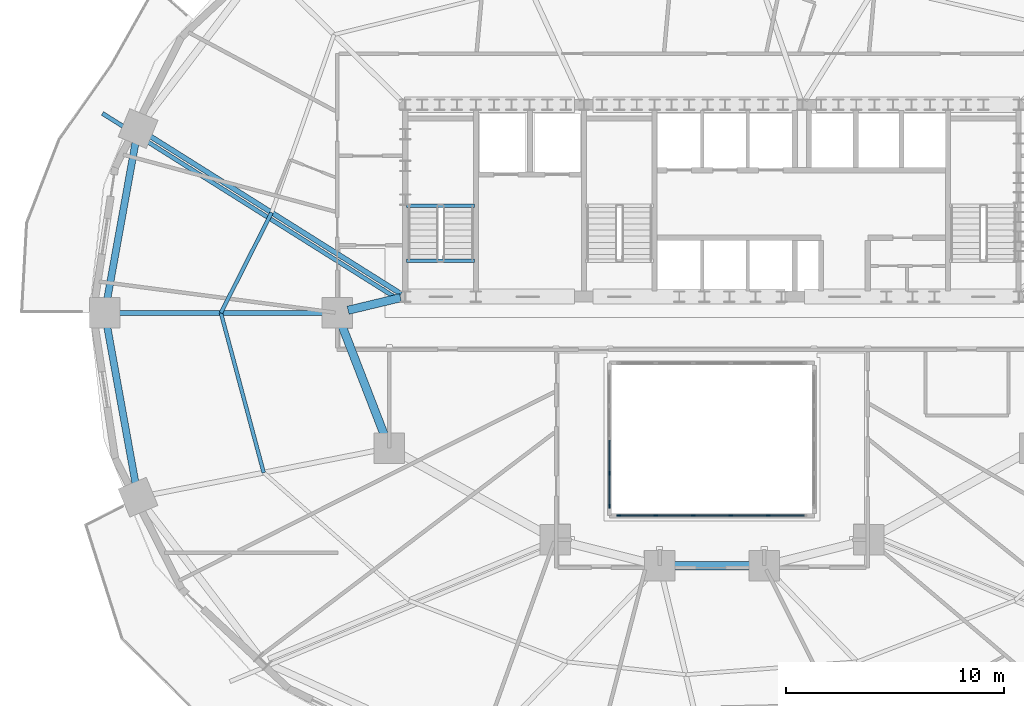
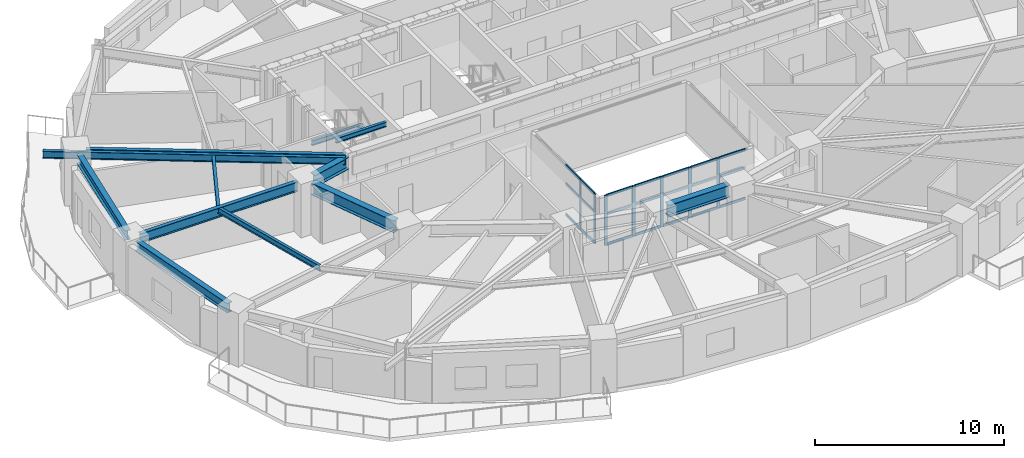
# One storey, part 3 of 15: 28 members, 12 beams, 2 elements without a shape of their own.
"""IFC4 building model written with IfcOpenShell, lengths in metres."""

import ifcopenshell
import ifcopenshell.guid

model = None  # the IFC model being written
_history = None  # IfcOwnerHistory: only IFC2X3 demands one
_inside = {}  # id of a spatial element -> (the spatial element, [elements in it])
_under = {}  # id of a project, library or spatial element -> (it, [spatial elements below it])
_declared = {}  # id of a project -> (the project, [libraries it declares])
_typed = {}  # id of a type object -> (the type object, [elements of that type])
_made_of = {}  # id of a material, layer set ... -> (it, [elements and type objects made of it])


def new_model(schema):
    """Start an empty IFC model of exactly this schema.

    Asked for "IFC4X3", IfcOpenShell would pick the latest addendum, in which some entities
    have other attributes; the version numbers below select the first issue.
    IFC2X3 requires an IfcOwnerHistory on every rooted entity: one is made here for all.
    """
    global model, _history
    if schema == "IFC4X3":
        model = ifcopenshell.file(schema_version=(4, 3, 0, 0))
    else:
        model = ifcopenshell.file(schema=schema)
    _inside.clear()
    _under.clear()
    _declared.clear()
    _typed.clear()
    _made_of.clear()
    _history = None
    if model.schema == "IFC2X3":
        org = make("IfcOrganization", Name="unknown")
        user = make(
            "IfcPersonAndOrganization",
            ThePerson=make("IfcPerson", FamilyName="unknown"),
            TheOrganization=org,
        )
        app = make(
            "IfcApplication",
            ApplicationDeveloper=org,
            Version="unknown",
            ApplicationFullName="unknown",
            ApplicationIdentifier="unknown",
        )
        _history = make(
            "IfcOwnerHistory",
            OwningUser=user,
            OwningApplication=app,
            ChangeAction="ADDED",
            CreationDate=0,
        )
    return model


def make(cls, **values):
    """One entity of the class cls with the attributes given. An attribute that is None is left unset."""
    return model.create_entity(
        cls, **{name: value for name, value in values.items() if value is not None}
    )


def rooted(cls, **values):
    """An entity with a GlobalId (a new one), such as an element, a storey or a relation."""
    return make(cls, GlobalId=ifcopenshell.guid.new(), OwnerHistory=_history, **values)


def si_unit(unit_type, name, prefix=None):
    """IfcSIUnit, for example si_unit("LENGTHUNIT", "METRE", prefix="MILLI")."""
    return make("IfcSIUnit", UnitType=unit_type, Prefix=prefix, Name=name)


def assignment(units):
    """IfcUnitAssignment: the units of a project."""
    return None if units is None else make("IfcUnitAssignment", Units=units)


def point(xyz):
    """IfcCartesianPoint."""
    return None if xyz is None else make("IfcCartesianPoint", Coordinates=xyz)


def direction(xyz):
    """IfcDirection."""
    return None if xyz is None else make("IfcDirection", DirectionRatios=xyz)


def frame(location, z_axis=None, x_axis=None):
    """IfcAxis2Placement3D, a coordinate frame: its origin and axes. An axis left out is left unset."""
    return make(
        "IfcAxis2Placement3D",
        Location=point(location),
        Axis=direction(z_axis),
        RefDirection=direction(x_axis),
    )


def frame_2d(location, x_axis=None):
    """IfcAxis2Placement2D, a coordinate frame in the plane: its origin and x axis."""
    return make(
        "IfcAxis2Placement2D", Location=point(location), RefDirection=direction(x_axis)
    )


def origin():
    """The frame at (0, 0, 0) with its axes left unset."""
    return frame((0.0, 0.0, 0.0))


def origin_2d():
    """The frame at (0, 0) in the plane with its x axis left unset."""
    return frame_2d((0.0, 0.0))


def place(relative_to, where):
    """IfcLocalPlacement: puts the frame where relative to a parent placement (None: the world)."""
    return make(
        "IfcLocalPlacement", PlacementRelTo=relative_to, RelativePlacement=where
    )


def context(
    kind, dimensions, precision=None, world=None, true_north=None, identifier=None
):
    """IfcGeometricRepresentationContext, for example the 3D "Model" context."""
    return make(
        "IfcGeometricRepresentationContext",
        ContextIdentifier=identifier,
        ContextType=kind,
        CoordinateSpaceDimension=dimensions,
        Precision=precision,
        WorldCoordinateSystem=world,
        TrueNorth=true_north,
    )


def subcontext(parent, identifier, kind, view, scale=None):
    """IfcGeometricRepresentationSubContext, for example "Body" below "Model"."""
    return make(
        "IfcGeometricRepresentationSubContext",
        ContextIdentifier=identifier,
        ContextType=kind,
        ParentContext=parent,
        TargetScale=scale,
        TargetView=view,
    )


def project(units=None, contexts=None):
    """IfcProject with its units and contexts."""
    return rooted(
        "IfcProject",
        Name="project",
        RepresentationContexts=contexts,
        UnitsInContext=assignment(units),
    )


def spatial(cls, under=None, at=None, **own):
    """A site, building, storey or space (cls), placed at a placement, below another one or the project."""
    s = rooted(cls, ObjectPlacement=at, **own)
    if under is not None:
        _under.setdefault(under.id(), (under, []))[1].append(s)
    return s


def profile(cls, at=None, kind="AREA", **sizes):
    """A parametric profile (cls). Its sizes go by their IFC names, for example OverallWidth=200.0."""
    return make(cls, ProfileType=kind, Position=at, **sizes)


def rectangle(**sizes):
    """IfcRectangleProfileDef."""
    return profile("IfcRectangleProfileDef", **sizes)


def i_section(**sizes):
    """IfcIShapeProfileDef."""
    return profile("IfcIShapeProfileDef", **sizes)


def extrude(swept, where, along, depth):
    """IfcExtrudedAreaSolid: the profile swept, set in the frame where, extruded along a direction by depth."""
    return make(
        "IfcExtrudedAreaSolid",
        SweptArea=swept,
        Position=where,
        ExtrudedDirection=direction(along),
        Depth=depth,
    )


def shape(context_of_items, identifier, shape_type, items):
    """IfcShapeRepresentation: the items that make up one representation, for example the "Body"."""
    return make(
        "IfcShapeRepresentation",
        ContextOfItems=context_of_items,
        RepresentationIdentifier=identifier,
        RepresentationType=shape_type,
        Items=items,
    )


def material(Name=None, Category=None):
    """IfcMaterial."""
    return make("IfcMaterial", Name=Name, Category=Category)


def material_profile(
    of_material, cross_section, Name=None, Category=None, Priority=None
):
    """IfcMaterialProfile: a cross section and its material."""
    return make(
        "IfcMaterialProfile",
        Name=Name,
        Material=of_material,
        Profile=cross_section,
        Priority=Priority,
        Category=Category,
    )


def profile_set(profiles, Name=None, composite=None):
    """IfcMaterialProfileSet."""
    return make(
        "IfcMaterialProfileSet",
        Name=Name,
        MaterialProfiles=profiles,
        CompositeProfile=composite,
    )


def made_of(thing, what):
    """Note that an element or type object is made of a material, layer set ...; save() writes the relation."""
    if what is not None:
        _made_of.setdefault(what.id(), (what, []))[1].append(thing)
    return thing


def type_object(cls, material=None, **own):
    """A type object (cls), such as IfcWallType, which elements share."""
    return made_of(rooted(cls, **own), material)


def element(
    cls,
    number,
    at=None,
    inside=None,
    cuts=None,
    type_object=None,
    material=None,
    context=None,
    identifier="Body",
    shape_type=None,
    held_by="IfcProductDefinitionShape",
    body=None,
    shapes=None,
    **own,
):
    """One element of the class cls, such as IfcWall. Its Tag is "e" and its number.

    at: its placement. inside: the storey or other place that contains it. cuts: it is an
    opening in that element (IfcRelVoidsElement). A single representation is given by context,
    identifier, shape_type and body (its items); several are given by shapes. held_by: the class
    of the entity that holds the representations. save() writes the other relations.
    """
    e = rooted(cls, Tag="e%d" % number, ObjectPlacement=at, **own)
    if body is not None:
        shapes = [shape(context, identifier, shape_type, body)]
    if shapes is not None:
        e.Representation = make(held_by, Representations=shapes)
    if inside is not None:
        _inside.setdefault(inside.id(), (inside, []))[1].append(e)
    if cuts is not None:
        rooted(
            "IfcRelVoidsElement", RelatingBuildingElement=cuts, RelatedOpeningElement=e
        )
    if type_object is not None:
        _typed.setdefault(type_object.id(), (type_object, []))[1].append(e)
    return made_of(e, material)


def aggregate(whole, parts):
    """IfcRelAggregates: a whole, such as a stair, and the parts it consists of."""
    return rooted("IfcRelAggregates", RelatingObject=whole, RelatedObjects=parts)


def save(model, path):
    """Write the relations noted so far, then the file.

    IfcRelAggregates (storeys below a building ...), IfcRelContainedInSpatialStructure (elements
    in a storey), IfcRelDefinesByType, IfcRelAssociatesMaterial and IfcRelDeclares: one each for
    every whole, place, type object, material and project.
    """
    for whole, parts in _under.values():
        aggregate(whole, parts)
    for where, things in _inside.values():
        rooted(
            "IfcRelContainedInSpatialStructure",
            RelatedElements=things,
            RelatingStructure=where,
        )
    for kind, things in _typed.values():
        rooted("IfcRelDefinesByType", RelatedObjects=things, RelatingType=kind)
    for what, things in _made_of.values():
        rooted("IfcRelAssociatesMaterial", RelatedObjects=things, RelatingMaterial=what)
    for by, libraries in _declared.values():
        rooted("IfcRelDeclares", RelatingContext=by, RelatedDefinitions=libraries)
    model.write(path)


model = new_model("IFC4")

# Units and contexts
model_context = context("Model", 3, precision=1e-05, world=origin(), true_north=direction((0.0, 1.0)))
body_context = subcontext(model_context, "Body", "Model", "MODEL_VIEW")
ifc_project = project(units=[si_unit("LENGTHUNIT", "METRE"), si_unit("AREAUNIT", "SQUARE_METRE"), si_unit("VOLUMEUNIT", "CUBIC_METRE"), si_unit("PLANEANGLEUNIT", "RADIAN"), si_unit("MASSUNIT", "GRAM", prefix="KILO")], contexts=[model_context])

# Site, building, storey
site_placement = place(None, origin())
site = spatial("IfcSite", under=ifc_project, at=site_placement, CompositionType="ELEMENT")
building_placement = place(site_placement, origin())
building = spatial("IfcBuilding", under=site, at=building_placement, Name="Haldorwick Loom Tower", CompositionType="ELEMENT")
storey_placement = place(building_placement, frame((0.0, 0.0, 85.25)))
storey = spatial("IfcBuildingStorey", under=building, at=storey_placement, Name="L22", CompositionType="ELEMENT", Elevation=85.25)

# Curtain wall, members
ifc_material_1 = material(Name="Thermally Broken Anodized Aluminium Curtain Wall Framing", Category="aluminium")
curtain_wall_type = type_object("IfcCurtainWallType", Name="ARC-CW-03", PredefinedType="NOTDEFINED", material=ifc_material_1)
curtain_wall_1_placement = place(storey_placement, origin())
curtain_wall_1 = element("IfcCurtainWall", 1, at=curtain_wall_1_placement, inside=storey, type_object=curtain_wall_type, Name="L22 Atrium Glazed Screen S", PredefinedType="NOTDEFINED")
ifc_material_profile_1 = material_profile(ifc_material_1, rectangle(XDim=0.06591796875, YDim=0.18505859375, at=origin_2d()), Name="ALU_MUL_66X185", Category="aluminium")
ifc_profile_set_1 = profile_set([ifc_material_profile_1], Name="Thermally Broken Anodized Aluminium Curtain Wall Framing")
member_type_1 = type_object("IfcMemberType", Name="ARC-CWM-03", PredefinedType="MULLION", material=ifc_profile_set_1)
member_1_placement = place(storey_placement, frame((38.580078125, 16.699951171875, 0.0), z_axis=(0.0, 0.0, 1.0), x_axis=(0.0, -1.0, 0.0)))
member_1 = element("IfcMember", 2, at=member_1_placement, type_object=member_type_1, Name="CW-03 mullion 2", PredefinedType="MULLION", context=body_context, shape_type="SweptSolid", body=[
    extrude(rectangle(XDim=0.06591796875, YDim=0.18505859375, at=origin_2d()), origin(), (0.0, 0.0, 1.0), 3.2099609375),
])
member_2_placement = place(storey_placement, frame((36.860107421875, 16.699951171875, 0.0), z_axis=(0.0, 0.0, 1.0), x_axis=(0.0, -1.0, 0.0)))
member_2 = element("IfcMember", 3, at=member_2_placement, type_object=member_type_1, Name="CW-03 mullion 3", PredefinedType="MULLION", context=body_context, shape_type="SweptSolid", body=[
    extrude(rectangle(XDim=0.06591796875, YDim=0.18505859375, at=origin_2d()), origin(), (0.0, 0.0, 1.0), 3.2099609375),
])
member_3_placement = place(storey_placement, frame((35.139892578125, 16.699951171875, 0.0), z_axis=(0.0, 0.0, 1.0), x_axis=(0.0, -1.0, 0.0)))
member_3 = element("IfcMember", 4, at=member_3_placement, type_object=member_type_1, Name="CW-03 mullion 4", PredefinedType="MULLION", context=body_context, shape_type="SweptSolid", body=[
    extrude(rectangle(XDim=0.06591796875, YDim=0.18505859375, at=origin_2d()), origin(), (0.0, 0.0, 1.0), 3.2099609375),
])
member_4_placement = place(storey_placement, frame((33.419921875, 16.699951171875, 0.0), z_axis=(0.0, 0.0, 1.0), x_axis=(0.0, -1.0, 0.0)))
member_4 = element("IfcMember", 5, at=member_4_placement, type_object=member_type_1, Name="CW-03 mullion 5", PredefinedType="MULLION", context=body_context, shape_type="SweptSolid", body=[
    extrude(rectangle(XDim=0.06591796875, YDim=0.18505859375, at=origin_2d()), origin(), (0.0, 0.0, 1.0), 3.2099609375),
])
member_5_placement = place(storey_placement, frame((31.73291015625, 16.699951171875, 0.0), z_axis=(0.0, 0.0, 1.0), x_axis=(0.0, -1.0, 0.0)))
member_5 = element("IfcMember", 6, at=member_5_placement, type_object=member_type_1, Name="CW-03 mullion 6", PredefinedType="MULLION", context=body_context, shape_type="SweptSolid", body=[
    extrude(rectangle(XDim=0.06591796875, YDim=0.18505859375, at=origin_2d()), origin(), (0.0, 0.0, 1.0), 3.2099609375),
])

curtain_wall_2_placement = place(storey_placement, origin())
curtain_wall_2 = element("IfcCurtainWall", 7, at=curtain_wall_2_placement, inside=storey, type_object=curtain_wall_type, Name="L22 Atrium Glazed Screen W", PredefinedType="NOTDEFINED")
member_6_placement = place(storey_placement, frame((31.300048828125, 17.133056640625, 0.0), z_axis=(0.0, 0.0, 1.0), x_axis=(-1.0, 0.0, 0.0)))
member_6 = element("IfcMember", 8, at=member_6_placement, type_object=member_type_1, Name="CW-03 mullion 1", PredefinedType="MULLION", context=body_context, shape_type="SweptSolid", body=[
    extrude(rectangle(XDim=0.06591796875, YDim=0.18505859375, at=origin_2d()), origin(), (0.0, 0.0, 1.0), 3.2099609375),
])
member_7_placement = place(storey_placement, frame((31.300048828125, 18.64990234375, 0.0), z_axis=(0.0, 0.0, 1.0), x_axis=(-1.0, 0.0, 0.0)))
member_7 = element("IfcMember", 9, at=member_7_placement, type_object=member_type_1, Name="CW-03 mullion 2", PredefinedType="MULLION", context=body_context, shape_type="SweptSolid", body=[
    extrude(rectangle(XDim=0.06591796875, YDim=0.18505859375, at=origin_2d()), origin(), (0.0, 0.0, 1.0), 3.2099609375),
])

# Member
ifc_material_profile_2 = material_profile(ifc_material_1, rectangle(XDim=0.06591796875, YDim=0.1650390625, at=origin_2d()), Name="ALU_TRN_66X165", Category="aluminium")
ifc_profile_set_2 = profile_set([ifc_material_profile_2], Name="Thermally Broken Anodized Aluminium Curtain Wall Framing")
member_type_2 = type_object("IfcMemberType", Name="ARC-CWT-03", PredefinedType="USERDEFINED", material=ifc_profile_set_2)
member_8_placement = place(storey_placement, frame((40.23388671875, 16.699951171875, 0.032958984375), z_axis=(-1.0, 0.0, 0.0), x_axis=(0.0, -1.0, 0.0)))
member_8 = element("IfcMember", 10, at=member_8_placement, type_object=member_type_2, Name="CW-03 transom 1.1", ObjectType="TRANSOM", PredefinedType="USERDEFINED", context=body_context, shape_type="SweptSolid", body=[
    extrude(rectangle(XDim=0.06591796875, YDim=0.1650390625, at=origin_2d()), origin(), (0.0, 0.0, 1.0), 1.620849609375),
])

member_9_placement = place(storey_placement, frame((40.23388671875, 16.699951171875, 2.0), z_axis=(-1.0, 0.0, 0.0), x_axis=(0.0, -1.0, 0.0)))
member_9 = element("IfcMember", 11, at=member_9_placement, type_object=member_type_2, Name="CW-03 transom 1.2", ObjectType="TRANSOM", PredefinedType="USERDEFINED", context=body_context, shape_type="SweptSolid", body=[
    extrude(rectangle(XDim=0.06591796875, YDim=0.1650390625, at=origin_2d()), origin(), (0.0, 0.0, 1.0), 1.620849609375),
])

member_10_placement = place(storey_placement, frame((40.23388671875, 16.699951171875, 3.177001953125), z_axis=(-1.0, 0.0, 0.0), x_axis=(0.0, -1.0, 0.0)))
member_10 = element("IfcMember", 12, at=member_10_placement, type_object=member_type_2, Name="CW-03 transom 1.3", ObjectType="TRANSOM", PredefinedType="USERDEFINED", context=body_context, shape_type="SweptSolid", body=[
    extrude(rectangle(XDim=0.06591796875, YDim=0.1650390625, at=origin_2d()), origin(), (0.0, 0.0, 1.0), 1.620849609375),
])

member_11_placement = place(storey_placement, frame((38.547119140625, 16.699951171875, 0.032958984375), z_axis=(-1.0, 0.0, 0.0), x_axis=(0.0, -1.0, 0.0)))
member_11 = element("IfcMember", 13, at=member_11_placement, type_object=member_type_2, Name="CW-03 transom 2.1", ObjectType="TRANSOM", PredefinedType="USERDEFINED", context=body_context, shape_type="SweptSolid", body=[
    extrude(rectangle(XDim=0.06591796875, YDim=0.1650390625, at=origin_2d()), origin(), (0.0, 0.0, 1.0), 1.654052734375),
])

member_12_placement = place(storey_placement, frame((38.547119140625, 16.699951171875, 2.0), z_axis=(-1.0, 0.0, 0.0), x_axis=(0.0, -1.0, 0.0)))
member_12 = element("IfcMember", 14, at=member_12_placement, type_object=member_type_2, Name="CW-03 transom 2.2", ObjectType="TRANSOM", PredefinedType="USERDEFINED", context=body_context, shape_type="SweptSolid", body=[
    extrude(rectangle(XDim=0.06591796875, YDim=0.1650390625, at=origin_2d()), origin(), (0.0, 0.0, 1.0), 1.654052734375),
])

member_13_placement = place(storey_placement, frame((38.547119140625, 16.699951171875, 3.177001953125), z_axis=(-1.0, 0.0, 0.0), x_axis=(0.0, -1.0, 0.0)))
member_13 = element("IfcMember", 15, at=member_13_placement, type_object=member_type_2, Name="CW-03 transom 2.3", ObjectType="TRANSOM", PredefinedType="USERDEFINED", context=body_context, shape_type="SweptSolid", body=[
    extrude(rectangle(XDim=0.06591796875, YDim=0.1650390625, at=origin_2d()), origin(), (0.0, 0.0, 1.0), 1.654052734375),
])

member_14_placement = place(storey_placement, frame((36.826904296875, 16.699951171875, 0.032958984375), z_axis=(-1.0, 0.0, 0.0), x_axis=(0.0, -1.0, 0.0)))
member_14 = element("IfcMember", 16, at=member_14_placement, type_object=member_type_2, Name="CW-03 transom 3.1", ObjectType="TRANSOM", PredefinedType="USERDEFINED", context=body_context, shape_type="SweptSolid", body=[
    extrude(rectangle(XDim=0.06591796875, YDim=0.1650390625, at=origin_2d()), origin(), (0.0, 0.0, 1.0), 1.65380859375),
])

member_15_placement = place(storey_placement, frame((36.826904296875, 16.699951171875, 2.0), z_axis=(-1.0, 0.0, 0.0), x_axis=(0.0, -1.0, 0.0)))
member_15 = element("IfcMember", 17, at=member_15_placement, type_object=member_type_2, Name="CW-03 transom 3.2", ObjectType="TRANSOM", PredefinedType="USERDEFINED", context=body_context, shape_type="SweptSolid", body=[
    extrude(rectangle(XDim=0.06591796875, YDim=0.1650390625, at=origin_2d()), origin(), (0.0, 0.0, 1.0), 1.65380859375),
])

member_16_placement = place(storey_placement, frame((36.826904296875, 16.699951171875, 3.177001953125), z_axis=(-1.0, 0.0, 0.0), x_axis=(0.0, -1.0, 0.0)))
member_16 = element("IfcMember", 18, at=member_16_placement, type_object=member_type_2, Name="CW-03 transom 3.3", ObjectType="TRANSOM", PredefinedType="USERDEFINED", context=body_context, shape_type="SweptSolid", body=[
    extrude(rectangle(XDim=0.06591796875, YDim=0.1650390625, at=origin_2d()), origin(), (0.0, 0.0, 1.0), 1.65380859375),
])

member_17_placement = place(storey_placement, frame((35.10693359375, 16.699951171875, 0.032958984375), z_axis=(-1.0, 0.0, 0.0), x_axis=(0.0, -1.0, 0.0)))
member_17 = element("IfcMember", 19, at=member_17_placement, type_object=member_type_2, Name="CW-03 transom 4.1", ObjectType="TRANSOM", PredefinedType="USERDEFINED", context=body_context, shape_type="SweptSolid", body=[
    extrude(rectangle(XDim=0.06591796875, YDim=0.1650390625, at=origin_2d()), origin(), (0.0, 0.0, 1.0), 1.654052734375),
])

member_18_placement = place(storey_placement, frame((35.10693359375, 16.699951171875, 2.0), z_axis=(-1.0, 0.0, 0.0), x_axis=(0.0, -1.0, 0.0)))
member_18 = element("IfcMember", 20, at=member_18_placement, type_object=member_type_2, Name="CW-03 transom 4.2", ObjectType="TRANSOM", PredefinedType="USERDEFINED", context=body_context, shape_type="SweptSolid", body=[
    extrude(rectangle(XDim=0.06591796875, YDim=0.1650390625, at=origin_2d()), origin(), (0.0, 0.0, 1.0), 1.654052734375),
])

member_19_placement = place(storey_placement, frame((35.10693359375, 16.699951171875, 3.177001953125), z_axis=(-1.0, 0.0, 0.0), x_axis=(0.0, -1.0, 0.0)))
member_19 = element("IfcMember", 21, at=member_19_placement, type_object=member_type_2, Name="CW-03 transom 4.3", ObjectType="TRANSOM", PredefinedType="USERDEFINED", context=body_context, shape_type="SweptSolid", body=[
    extrude(rectangle(XDim=0.06591796875, YDim=0.1650390625, at=origin_2d()), origin(), (0.0, 0.0, 1.0), 1.654052734375),
])

member_20_placement = place(storey_placement, frame((33.386962890625, 16.699951171875, 0.032958984375), z_axis=(-1.0, 0.0, 0.0), x_axis=(0.0, -1.0, 0.0)))
member_20 = element("IfcMember", 22, at=member_20_placement, type_object=member_type_2, Name="CW-03 transom 5.1", ObjectType="TRANSOM", PredefinedType="USERDEFINED", context=body_context, shape_type="SweptSolid", body=[
    extrude(rectangle(XDim=0.06591796875, YDim=0.1650390625, at=origin_2d()), origin(), (0.0, 0.0, 1.0), 1.620849609375),
])

member_21_placement = place(storey_placement, frame((33.386962890625, 16.699951171875, 2.0), z_axis=(-1.0, 0.0, 0.0), x_axis=(0.0, -1.0, 0.0)))
member_21 = element("IfcMember", 23, at=member_21_placement, type_object=member_type_2, Name="CW-03 transom 5.2", ObjectType="TRANSOM", PredefinedType="USERDEFINED", context=body_context, shape_type="SweptSolid", body=[
    extrude(rectangle(XDim=0.06591796875, YDim=0.1650390625, at=origin_2d()), origin(), (0.0, 0.0, 1.0), 1.620849609375),
])

member_22_placement = place(storey_placement, frame((33.386962890625, 16.699951171875, 3.177001953125), z_axis=(-1.0, 0.0, 0.0), x_axis=(0.0, -1.0, 0.0)))
member_22 = element("IfcMember", 24, at=member_22_placement, type_object=member_type_2, Name="CW-03 transom 5.3", ObjectType="TRANSOM", PredefinedType="USERDEFINED", context=body_context, shape_type="SweptSolid", body=[
    extrude(rectangle(XDim=0.06591796875, YDim=0.1650390625, at=origin_2d()), origin(), (0.0, 0.0, 1.0), 1.620849609375),
])

aggregate(curtain_wall_1, [member_1, member_2, member_3, member_4, member_5, member_8, member_9, member_10, member_11, member_12, member_13, member_14, member_15, member_16, member_17, member_18, member_19, member_20, member_21, member_22])

member_23_placement = place(storey_placement, frame((31.300048828125, 17.166015625, 0.032958984375), z_axis=(0.0, 1.0, 0.0), x_axis=(-1.0, 0.0, 0.0)))
member_23 = element("IfcMember", 25, at=member_23_placement, type_object=member_type_2, Name="CW-03 transom 1.1", ObjectType="TRANSOM", PredefinedType="USERDEFINED", context=body_context, shape_type="SweptSolid", body=[
    extrude(rectangle(XDim=0.06591796875, YDim=0.1650390625, at=origin_2d()), origin(), (0.0, 0.0, 1.0), 1.450927734375),
])

member_24_placement = place(storey_placement, frame((31.300048828125, 17.166015625, 2.0), z_axis=(0.0, 1.0, 0.0), x_axis=(-1.0, 0.0, 0.0)))
member_24 = element("IfcMember", 26, at=member_24_placement, type_object=member_type_2, Name="CW-03 transom 1.2", ObjectType="TRANSOM", PredefinedType="USERDEFINED", context=body_context, shape_type="SweptSolid", body=[
    extrude(rectangle(XDim=0.06591796875, YDim=0.1650390625, at=origin_2d()), origin(), (0.0, 0.0, 1.0), 1.450927734375),
])

member_25_placement = place(storey_placement, frame((31.300048828125, 17.166015625, 3.177001953125), z_axis=(0.0, 1.0, 0.0), x_axis=(-1.0, 0.0, 0.0)))
member_25 = element("IfcMember", 27, at=member_25_placement, type_object=member_type_2, Name="CW-03 transom 1.3", ObjectType="TRANSOM", PredefinedType="USERDEFINED", context=body_context, shape_type="SweptSolid", body=[
    extrude(rectangle(XDim=0.06591796875, YDim=0.1650390625, at=origin_2d()), origin(), (0.0, 0.0, 1.0), 1.450927734375),
])

member_26_placement = place(storey_placement, frame((31.300048828125, 18.68310546875, 0.032958984375), z_axis=(0.0, 1.0, 0.0), x_axis=(-1.0, 0.0, 0.0)))
member_26 = element("IfcMember", 28, at=member_26_placement, type_object=member_type_2, Name="CW-03 transom 2.1", ObjectType="TRANSOM", PredefinedType="USERDEFINED", context=body_context, shape_type="SweptSolid", body=[
    extrude(rectangle(XDim=0.06591796875, YDim=0.1650390625, at=origin_2d()), origin(), (0.0, 0.0, 1.0), 1.48388671875),
])

member_27_placement = place(storey_placement, frame((31.300048828125, 18.68310546875, 2.0), z_axis=(0.0, 1.0, 0.0), x_axis=(-1.0, 0.0, 0.0)))
member_27 = element("IfcMember", 29, at=member_27_placement, type_object=member_type_2, Name="CW-03 transom 2.2", ObjectType="TRANSOM", PredefinedType="USERDEFINED", context=body_context, shape_type="SweptSolid", body=[
    extrude(rectangle(XDim=0.06591796875, YDim=0.1650390625, at=origin_2d()), origin(), (0.0, 0.0, 1.0), 1.48388671875),
])

member_28_placement = place(storey_placement, frame((31.300048828125, 18.68310546875, 3.177001953125), z_axis=(0.0, 1.0, 0.0), x_axis=(-1.0, 0.0, 0.0)))
member_28 = element("IfcMember", 30, at=member_28_placement, type_object=member_type_2, Name="CW-03 transom 2.3", ObjectType="TRANSOM", PredefinedType="USERDEFINED", context=body_context, shape_type="SweptSolid", body=[
    extrude(rectangle(XDim=0.06591796875, YDim=0.1650390625, at=origin_2d()), origin(), (0.0, 0.0, 1.0), 1.48388671875),
])

aggregate(curtain_wall_2, [member_6, member_7, member_23, member_24, member_25, member_26, member_27, member_28])

# Beams
ifc_material_2 = material(Name="Steel CSA G40.21 350W", Category="steel")
ifc_material_profile_3 = material_profile(ifc_material_2, i_section(OverallWidth=0.193115234375, OverallDepth=0.466064453125, WebThickness=0.011474609375, FlangeThickness=0.01904296875, at=origin_2d()), Name="W460X97", Category="steel")
ifc_profile_set_3 = profile_set([ifc_material_profile_3], Name="Steel CSA G40.21 350W")
beam_type_1 = type_object("IfcBeamType", Name="STR-BM-BAL460", PredefinedType="BEAM", material=ifc_profile_set_3)
beam_1_placement = place(storey_placement, frame((21.590576171875, 26.6328125, 2.97705078125), z_axis=(-0.846621037802, 0.532196221662, 0.0), x_axis=(-0.532196221662, -0.846621037802, 0.0)))
element("IfcBeam", 31, at=beam_1_placement, inside=storey, type_object=beam_type_1, Name="L22 Continuous Back-Spanned Balcony Beam 3", PredefinedType="BEAM", context=body_context, shape_type="SweptSolid", body=[
    extrude(i_section(OverallWidth=0.193115234375, OverallDepth=0.466064453125, WebThickness=0.011474609375, FlangeThickness=0.01904296875, at=origin_2d()), origin(), (0.0, 0.0, 1.0), 16.0068359375),
])
ifc_material_profile_4 = material_profile(ifc_material_2, i_section(OverallWidth=0.172119140625, OverallDepth=0.35791015625, WebThickness=0.0078125, FlangeThickness=0.01318359375, at=origin_2d()), Name="W360X57", Category="steel")
ifc_profile_set_4 = profile_set([ifc_material_profile_4], Name="Steel CSA G40.21 350W")
beam_type_2 = type_object("IfcBeamType", Name="STR-BM-J360", PredefinedType="JOIST", material=ifc_profile_set_4)
beam_2_placement = place(storey_placement, frame((15.7998046875, 30.603515625, 3.031005859375), z_axis=(-0.451373231558, -0.892335254169, 0.0), x_axis=(0.892335254169, -0.451373231558, 0.0)))
element("IfcBeam", 32, at=beam_2_placement, inside=storey, type_object=beam_type_2, Name="L22 Mid-Bay Secondary Joist 8", PredefinedType="JOIST", context=body_context, shape_type="SweptSolid", body=[
    extrude(i_section(OverallWidth=0.172119140625, OverallDepth=0.35791015625, WebThickness=0.0078125, FlangeThickness=0.01318359375, at=origin_2d()), origin(), (0.0, 0.0, 1.0), 5.158935546875),
])
beam_3_placement = place(storey_placement, frame((13.47119140625, 26.0, 3.031005859375), z_axis=(0.258810072536, -0.965928230436, 0.0), x_axis=(0.965928230436, 0.258810072536, 0.0)))
element("IfcBeam", 33, at=beam_3_placement, inside=storey, type_object=beam_type_2, Name="L22 Mid-Bay Secondary Joist 9", PredefinedType="JOIST", context=body_context, shape_type="SweptSolid", body=[
    extrude(i_section(OverallWidth=0.172119140625, OverallDepth=0.35791015625, WebThickness=0.0078125, FlangeThickness=0.01318359375, at=origin_2d()), origin(), (0.0, 0.0, 1.0), 7.587158203125),
])
ifc_material_profile_5 = material_profile(ifc_material_2, i_section(OverallWidth=0.324951171875, OverallDepth=0.615966796875, WebThickness=0.013916015625, FlangeThickness=0.021484375, at=origin_2d()), Name="W610X174", Category="steel")
ifc_profile_set_5 = profile_set([ifc_material_profile_5], Name="Steel CSA G40.21 350W")
beam_type_3 = type_object("IfcBeamType", Name="STR-BM-SP610", PredefinedType="SPANDREL", material=ifc_profile_set_5)
for number, where, z_axis, x_axis, name in (
    (34, (9.576904296875, 33.945556640625, 2.902099609375), (-0.177659490888, -0.984092020747, 0.0), (0.984092020747, -0.177659490888, 0.0), "L22 Perimeter Spandrel 8"),
    (35, (8.23486328125, 25.48828125, 2.902099609375), (0.177659490888, -0.984092020747, 0.0), (0.984092020747, 0.177659490888, 0.0), "L22 Perimeter Spandrel 9"),
):
    element("IfcBeam", number, at=place(storey_placement, frame(where, z_axis=z_axis, x_axis=x_axis)), inside=storey, type_object=beam_type_3, Name=name, PredefinedType="SPANDREL", context=body_context, shape_type="SweptSolid", body=[
        extrude(i_section(OverallWidth=0.324951171875, OverallDepth=0.615966796875, WebThickness=0.013916015625, FlangeThickness=0.021484375, at=origin_2d()), origin(), (0.0, 0.0, 1.0), 7.553955078125),
    ])
ifc_material_profile_6 = material_profile(ifc_material_2, i_section(OverallWidth=0.166015625, OverallDepth=0.31298828125, WebThickness=0.006591796875, FlangeThickness=0.01123046875, at=origin_2d()), Name="W310X45", Category="steel")
ifc_profile_set_6 = profile_set([ifc_material_profile_6], Name="Steel CSA G40.21 350W")
beam_type_4 = type_object("IfcBeamType", Name="STR-BM-STRM", PredefinedType="BEAM", material=ifc_profile_set_6)
for number, where, z_axis, x_axis, name in (
    (36, (21.989990234375, 28.39990234375, 3.053466796875), (1.0, 0.0, 0.0), (0.0, 1.0, 0.0), "L22 Stair ST-01 Landing Edge Trimmer"),
    (37, (21.989990234375, 30.919921875, 1.368408203125), (1.0, 0.0, 0.0), (0.0, 1.0, 0.0), "L22 Stair ST-01 Half-Landing Trimmer 1"),
):
    element("IfcBeam", number, at=place(storey_placement, frame(where, z_axis=z_axis, x_axis=x_axis)), inside=storey, type_object=beam_type_4, Name=name, PredefinedType="BEAM", context=body_context, shape_type="SweptSolid", body=[
        extrude(i_section(OverallWidth=0.166015625, OverallDepth=0.31298828125, WebThickness=0.006591796875, FlangeThickness=0.01123046875, at=origin_2d()), origin(), (0.0, 0.0, 1.0), 3.1201171875),
    ])
ifc_material_profile_7 = material_profile(ifc_material_2, i_section(OverallWidth=0.22998046875, OverallDepth=0.616943359375, WebThickness=0.01318359375, FlangeThickness=0.022216796875, at=origin_2d()), Name="W610X140", Category="steel")
ifc_profile_set_7 = profile_set([ifc_material_profile_7], Name="Steel CSA G40.21 350W")
beam_type_5 = type_object("IfcBeamType", Name="STR-BM-W610B", PredefinedType="BEAM", material=ifc_profile_set_7)
beam_4_placement = place(storey_placement, frame((21.739501953125, 26.86962890625, 2.901611328125), z_axis=(-0.846609551433, 0.532214493811, 0.0), x_axis=(-0.532214493811, -0.846609551433, 0.0)))
element("IfcBeam", 38, at=beam_4_placement, inside=storey, type_object=beam_type_5, Name="L22 Radial Floor Girder 8", PredefinedType="BEAM", context=body_context, shape_type="SweptSolid", body=[
    extrude(i_section(OverallWidth=0.22998046875, OverallDepth=0.616943359375, WebThickness=0.01318359375, FlangeThickness=0.022216796875, at=origin_2d()), origin(), (0.0, 0.0, 1.0), 13.737060546875),
])
beam_5_placement = place(storey_placement, frame((18.280029296875, 26.0, 2.901611328125), z_axis=(-1.0, 0.0, 0.0), x_axis=(0.0, -1.0, 0.0)))
element("IfcBeam", 39, at=beam_5_placement, inside=storey, type_object=beam_type_5, Name="L22 Radial Floor Girder 9", PredefinedType="BEAM", context=body_context, shape_type="SweptSolid", body=[
    extrude(i_section(OverallWidth=0.22998046875, OverallDepth=0.616943359375, WebThickness=0.01318359375, FlangeThickness=0.022216796875, at=origin_2d()), origin(), (0.0, 0.0, 1.0), 9.61767578125),
])
ifc_material_profile_8 = material_profile(ifc_material_2, i_section(OverallWidth=0.381103515625, OverallDepth=0.77294921875, WebThickness=0.0166015625, FlangeThickness=0.027587890625, at=origin_2d()), Name="W760X257", Category="steel")
ifc_profile_set_8 = profile_set([ifc_material_profile_8], Name="Steel CSA G40.21 350W")
beam_type_6 = type_object("IfcBeamType", Name="STR-BM-W760", PredefinedType="BEAM", material=ifc_profile_set_8)
beam_6_placement = place(storey_placement, frame((37.8798828125, 14.39990234375, 2.823486328125), z_axis=(-1.0, 0.0, 0.0), x_axis=(0.0, -1.0, 0.0)))
element("IfcBeam", 40, at=beam_6_placement, inside=storey, type_object=beam_type_6, Name="L22 Inner Ring Girder 5", PredefinedType="BEAM", context=body_context, shape_type="SweptSolid", body=[
    extrude(i_section(OverallWidth=0.381103515625, OverallDepth=0.77294921875, WebThickness=0.0166015625, FlangeThickness=0.027587890625, at=origin_2d()), origin(), (0.0, 0.0, 1.0), 3.759765625),
])
beam_7_placement = place(storey_placement, frame((21.01220703125, 20.284912109375, 2.823486328125), z_axis=(-0.360964792353, 0.93257944363, 0.0), x_axis=(-0.93257944363, -0.360964792353, 0.0)))
element("IfcBeam", 41, at=beam_7_placement, inside=storey, type_object=beam_type_6, Name="L22 Inner Ring Girder 8", PredefinedType="BEAM", context=body_context, shape_type="SweptSolid", body=[
    extrude(i_section(OverallWidth=0.381103515625, OverallDepth=0.77294921875, WebThickness=0.0166015625, FlangeThickness=0.027587890625, at=origin_2d()), origin(), (0.0, 0.0, 1.0), 5.6083984375),
])
beam_8_placement = place(storey_placement, frame((19.3056640625, 26.12109375, 2.823486328125), z_axis=(0.97247055837, 0.233025777764, 0.0), x_axis=(-0.233025777764, 0.97247055837, 0.0)))
element("IfcBeam", 42, at=beam_8_placement, inside=storey, type_object=beam_type_6, Name="L22 Inner Ring Girder 9", PredefinedType="BEAM", context=body_context, shape_type="SweptSolid", body=[
    extrude(i_section(OverallWidth=0.381103515625, OverallDepth=0.77294921875, WebThickness=0.0166015625, FlangeThickness=0.027587890625, at=origin_2d()), origin(), (0.0, 0.0, 1.0), 2.4736328125),
])

save(model, "model.ifc")
